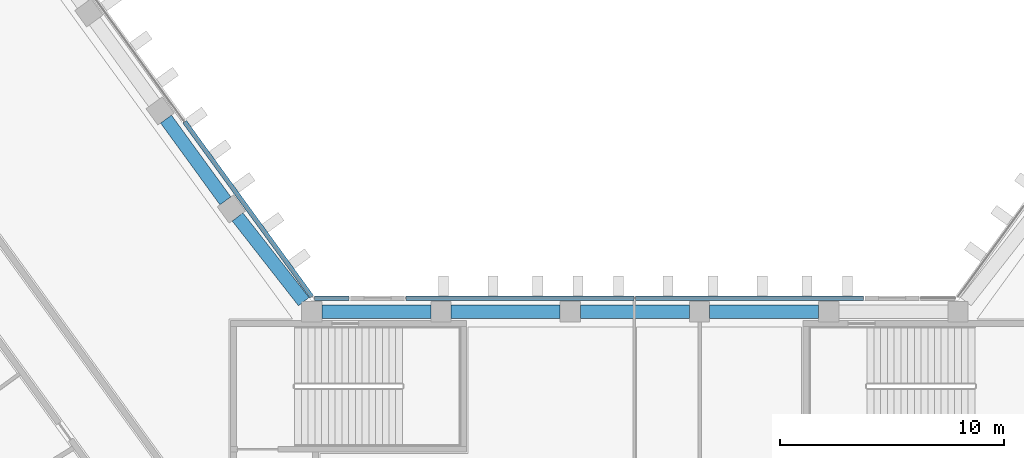
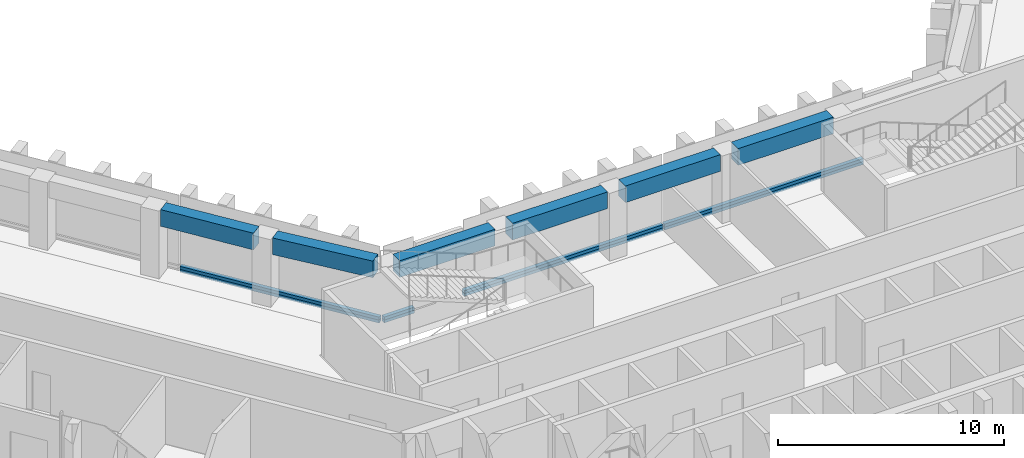
"""IFC4 building model written with IfcOpenShell, lengths in metres."""

import ifcopenshell
import ifcopenshell.guid

model = None  # the IFC model being written
_history = None  # IfcOwnerHistory: only IFC2X3 demands one
_inside = {}  # id of a spatial element -> (the spatial element, [elements in it])
_under = {}  # id of a project, library or spatial element -> (it, [spatial elements below it])
_declared = {}  # id of a project -> (the project, [libraries it declares])
_typed = {}  # id of a type object -> (the type object, [elements of that type])
_made_of = {}  # id of a material, layer set ... -> (it, [elements and type objects made of it])


def new_model(schema):
    """Start an empty IFC model of exactly this schema.

    Asked for "IFC4X3", IfcOpenShell would pick the latest addendum, in which some entities
    have other attributes; the version numbers below select the first issue.
    IFC2X3 requires an IfcOwnerHistory on every rooted entity: one is made here for all.
    """
    global model, _history
    if schema == "IFC4X3":
        model = ifcopenshell.file(schema_version=(4, 3, 0, 0))
    else:
        model = ifcopenshell.file(schema=schema)
    _inside.clear()
    _under.clear()
    _declared.clear()
    _typed.clear()
    _made_of.clear()
    _history = None
    if model.schema == "IFC2X3":
        org = make("IfcOrganization", Name="unknown")
        user = make(
            "IfcPersonAndOrganization",
            ThePerson=make("IfcPerson", FamilyName="unknown"),
            TheOrganization=org,
        )
        app = make(
            "IfcApplication",
            ApplicationDeveloper=org,
            Version="unknown",
            ApplicationFullName="unknown",
            ApplicationIdentifier="unknown",
        )
        _history = make(
            "IfcOwnerHistory",
            OwningUser=user,
            OwningApplication=app,
            ChangeAction="ADDED",
            CreationDate=0,
        )
    return model


def make(cls, **values):
    """One entity of the class cls with the attributes given. An attribute that is None is left unset."""
    return model.create_entity(
        cls, **{name: value for name, value in values.items() if value is not None}
    )


def rooted(cls, **values):
    """An entity with a GlobalId (a new one), such as an element, a storey or a relation."""
    return make(cls, GlobalId=ifcopenshell.guid.new(), OwnerHistory=_history, **values)


def si_unit(unit_type, name, prefix=None):
    """IfcSIUnit, for example si_unit("LENGTHUNIT", "METRE", prefix="MILLI")."""
    return make("IfcSIUnit", UnitType=unit_type, Prefix=prefix, Name=name)


def assignment(units):
    """IfcUnitAssignment: the units of a project."""
    return None if units is None else make("IfcUnitAssignment", Units=units)


def point(xyz):
    """IfcCartesianPoint."""
    return None if xyz is None else make("IfcCartesianPoint", Coordinates=xyz)


def direction(xyz):
    """IfcDirection."""
    return None if xyz is None else make("IfcDirection", DirectionRatios=xyz)


def frame(location, z_axis=None, x_axis=None):
    """IfcAxis2Placement3D, a coordinate frame: its origin and axes. An axis left out is left unset."""
    return make(
        "IfcAxis2Placement3D",
        Location=point(location),
        Axis=direction(z_axis),
        RefDirection=direction(x_axis),
    )


def frame_2d(location, x_axis=None):
    """IfcAxis2Placement2D, a coordinate frame in the plane: its origin and x axis."""
    return make(
        "IfcAxis2Placement2D", Location=point(location), RefDirection=direction(x_axis)
    )


def origin():
    """The frame at (0, 0, 0) with its axes left unset."""
    return frame((0.0, 0.0, 0.0))


def origin_2d():
    """The frame at (0, 0) in the plane with its x axis left unset."""
    return frame_2d((0.0, 0.0))


def place(relative_to, where):
    """IfcLocalPlacement: puts the frame where relative to a parent placement (None: the world)."""
    return make(
        "IfcLocalPlacement", PlacementRelTo=relative_to, RelativePlacement=where
    )


def context(
    kind, dimensions, precision=None, world=None, true_north=None, identifier=None
):
    """IfcGeometricRepresentationContext, for example the 3D "Model" context."""
    return make(
        "IfcGeometricRepresentationContext",
        ContextIdentifier=identifier,
        ContextType=kind,
        CoordinateSpaceDimension=dimensions,
        Precision=precision,
        WorldCoordinateSystem=world,
        TrueNorth=true_north,
    )


def subcontext(parent, identifier, kind, view, scale=None):
    """IfcGeometricRepresentationSubContext, for example "Body" below "Model"."""
    return make(
        "IfcGeometricRepresentationSubContext",
        ContextIdentifier=identifier,
        ContextType=kind,
        ParentContext=parent,
        TargetScale=scale,
        TargetView=view,
    )


def project(units=None, contexts=None):
    """IfcProject with its units and contexts."""
    return rooted(
        "IfcProject",
        Name="project",
        RepresentationContexts=contexts,
        UnitsInContext=assignment(units),
    )


def spatial(cls, under=None, at=None, **own):
    """A site, building, storey or space (cls), placed at a placement, below another one or the project."""
    s = rooted(cls, ObjectPlacement=at, **own)
    if under is not None:
        _under.setdefault(under.id(), (under, []))[1].append(s)
    return s


def profile(cls, at=None, kind="AREA", **sizes):
    """A parametric profile (cls). Its sizes go by their IFC names, for example OverallWidth=200.0."""
    return make(cls, ProfileType=kind, Position=at, **sizes)


def rectangle(**sizes):
    """IfcRectangleProfileDef."""
    return profile("IfcRectangleProfileDef", **sizes)


def extrude(swept, where, along, depth):
    """IfcExtrudedAreaSolid: the profile swept, set in the frame where, extruded along a direction by depth."""
    return make(
        "IfcExtrudedAreaSolid",
        SweptArea=swept,
        Position=where,
        ExtrudedDirection=direction(along),
        Depth=depth,
    )


def shape(context_of_items, identifier, shape_type, items):
    """IfcShapeRepresentation: the items that make up one representation, for example the "Body"."""
    return make(
        "IfcShapeRepresentation",
        ContextOfItems=context_of_items,
        RepresentationIdentifier=identifier,
        RepresentationType=shape_type,
        Items=items,
    )


def material(Name=None, Category=None):
    """IfcMaterial."""
    return make("IfcMaterial", Name=Name, Category=Category)


def material_profile(
    of_material, cross_section, Name=None, Category=None, Priority=None
):
    """IfcMaterialProfile: a cross section and its material."""
    return make(
        "IfcMaterialProfile",
        Name=Name,
        Material=of_material,
        Profile=cross_section,
        Priority=Priority,
        Category=Category,
    )


def profile_set(profiles, Name=None, composite=None):
    """IfcMaterialProfileSet."""
    return make(
        "IfcMaterialProfileSet",
        Name=Name,
        MaterialProfiles=profiles,
        CompositeProfile=composite,
    )


def made_of(thing, what):
    """Note that an element or type object is made of a material, layer set ...; save() writes the relation."""
    if what is not None:
        _made_of.setdefault(what.id(), (what, []))[1].append(thing)
    return thing


def type_object(cls, material=None, **own):
    """A type object (cls), such as IfcWallType, which elements share."""
    return made_of(rooted(cls, **own), material)


def element(
    cls,
    number,
    at=None,
    inside=None,
    cuts=None,
    type_object=None,
    material=None,
    context=None,
    identifier="Body",
    shape_type=None,
    held_by="IfcProductDefinitionShape",
    body=None,
    shapes=None,
    **own,
):
    """One element of the class cls, such as IfcWall. Its Tag is "e" and its number.

    at: its placement. inside: the storey or other place that contains it. cuts: it is an
    opening in that element (IfcRelVoidsElement). A single representation is given by context,
    identifier, shape_type and body (its items); several are given by shapes. held_by: the class
    of the entity that holds the representations. save() writes the other relations.
    """
    e = rooted(cls, Tag="e%d" % number, ObjectPlacement=at, **own)
    if body is not None:
        shapes = [shape(context, identifier, shape_type, body)]
    if shapes is not None:
        e.Representation = make(held_by, Representations=shapes)
    if inside is not None:
        _inside.setdefault(inside.id(), (inside, []))[1].append(e)
    if cuts is not None:
        rooted(
            "IfcRelVoidsElement", RelatingBuildingElement=cuts, RelatedOpeningElement=e
        )
    if type_object is not None:
        _typed.setdefault(type_object.id(), (type_object, []))[1].append(e)
    return made_of(e, material)


def aggregate(whole, parts):
    """IfcRelAggregates: a whole, such as a stair, and the parts it consists of."""
    return rooted("IfcRelAggregates", RelatingObject=whole, RelatedObjects=parts)


def save(model, path):
    """Write the relations noted so far, then the file.

    IfcRelAggregates (storeys below a building ...), IfcRelContainedInSpatialStructure (elements
    in a storey), IfcRelDefinesByType, IfcRelAssociatesMaterial and IfcRelDeclares: one each for
    every whole, place, type object, material and project.
    """
    for whole, parts in _under.values():
        aggregate(whole, parts)
    for where, things in _inside.values():
        rooted(
            "IfcRelContainedInSpatialStructure",
            RelatedElements=things,
            RelatingStructure=where,
        )
    for kind, things in _typed.values():
        rooted("IfcRelDefinesByType", RelatedObjects=things, RelatingType=kind)
    for what, things in _made_of.values():
        rooted("IfcRelAssociatesMaterial", RelatedObjects=things, RelatingMaterial=what)
    for by, libraries in _declared.values():
        rooted("IfcRelDeclares", RelatingContext=by, RelatedDefinitions=libraries)
    model.write(path)


model = new_model("IFC4")

# Units and contexts
model_context = context("Model", 3, precision=1e-05, world=origin(), true_north=direction((0.0, 1.0)))
body_context = subcontext(model_context, "Body", "Model", "MODEL_VIEW")
ifc_project = project(units=[si_unit("LENGTHUNIT", "METRE"), si_unit("AREAUNIT", "SQUARE_METRE"), si_unit("VOLUMEUNIT", "CUBIC_METRE"), si_unit("PLANEANGLEUNIT", "RADIAN"), si_unit("MASSUNIT", "GRAM", prefix="KILO")], contexts=[model_context])

# Site, building, storey
site_placement = place(None, origin())
site = spatial("IfcSite", under=ifc_project, at=site_placement, CompositionType="ELEMENT")
building_placement = place(site_placement, origin())
building = spatial("IfcBuilding", under=site, at=building_placement, Name="Quipu Civic Tower", CompositionType="ELEMENT")
storey_1_placement = place(building_placement, frame((0.0, 0.0, 55.0)))
storey_1 = spatial("IfcBuildingStorey", under=building, at=storey_1_placement, Name="L12", CompositionType="ELEMENT", Elevation=55.0)

# Beams
ifc_material_1 = material(Name="Concrete C50/60", Category="concrete")
ifc_material_profile_1 = material_profile(ifc_material_1, rectangle(XDim=0.60009765625, YDim=0.89990234375, at=origin_2d()), Name="RC600x900")
ifc_profile_set_1 = profile_set([ifc_material_profile_1], Name="Concrete C50/60")
beam_type = type_object("IfcBeamType", Name="Spandrel beam RC 600x900 C50/60", PredefinedType="SPANDREL", material=ifc_profile_set_1)
beam_1_placement = place(storey_1_placement, frame((-18.238037109375, 15.43896484375, 3.199951171875), z_axis=(-0.587716763865, 0.809066749701, 0.0), x_axis=(-0.809066749701, -0.587716763865, 0.0)))
element("IfcBeam", 1, at=beam_1_placement, inside=storey_1, type_object=beam_type, Name="Spandrel beam L12 W-IN-01 to W-IN-02", PredefinedType="SPANDREL", context=body_context, shape_type="SweptSolid", body=[
    extrude(rectangle(XDim=0.60009765625, YDim=0.89990234375, at=origin_2d()), origin(), (0.0, 0.0, 1.0), 4.5),
])
for number, where, z_axis, x_axis, name in (
    (2, (8.18701171875, 10.5, 3.199951171875), (-1.0, 0.0, 0.0), (0.0, -1.0, 0.0), "Spandrel beam L12 FRONT-01 to FRONT-02"),
    (3, (2.428955078125, 10.5, 3.199951171875), (-1.0, 0.0, 0.0), (0.0, -1.0, 0.0), "Spandrel beam L12 FRONT-02 to FRONT-03"),
    (4, (-3.3291015625, 10.5, 3.199951171875), (-1.0, 0.0, 0.0), (0.0, -1.0, 0.0), "Spandrel beam L12 FRONT-03 to FRONT-04"),
):
    element("IfcBeam", number, at=place(storey_1_placement, frame(where, z_axis=z_axis, x_axis=x_axis)), inside=storey_1, type_object=beam_type, Name=name, PredefinedType="SPANDREL", context=body_context, shape_type="SweptSolid", body=[
        extrude(rectangle(XDim=0.60009765625, YDim=0.89990234375, at=origin_2d()), origin(), (0.0, 0.0, 1.0), 4.85791015625),
    ])
beam_2_placement = place(storey_1_placement, frame((-9.087158203125, 10.5, 3.199951171875), z_axis=(-1.0, 0.0, 0.0), x_axis=(0.0, -1.0, 0.0)))
element("IfcBeam", 5, at=beam_2_placement, inside=storey_1, type_object=beam_type, Name="Spandrel beam L12 FRONT-04 to J-Wi.0", PredefinedType="SPANDREL", context=body_context, shape_type="SweptSolid", body=[
    extrude(rectangle(XDim=0.60009765625, YDim=0.89990234375, at=origin_2d()), origin(), (0.0, 0.0, 1.0), 4.858154296875),
])
beam_3_placement = place(storey_1_placement, frame((-14.7470703125, 10.949951171875, 3.199951171875), z_axis=(-0.616123961998, 0.787649200756, 0.0), x_axis=(-0.787649200756, -0.616123961998, 0.0)))
element("IfcBeam", 6, at=beam_3_placement, inside=storey_1, type_object=beam_type, Name="Spandrel beam L12 J-Wi.0 to W-IN-01", PredefinedType="SPANDREL", context=body_context, shape_type="SweptSolid", body=[
    extrude(rectangle(XDim=0.60009765625, YDim=0.89990234375, at=origin_2d()), origin(), (0.0, 0.0, 1.0), 4.78662109375),
])

# Storey
storey_2_placement = place(building_placement, frame((0.0, 0.0, 47.0)))
storey_2 = spatial("IfcBuildingStorey", under=building, at=storey_2_placement, Name="L10", CompositionType="ELEMENT", Elevation=47.0)

# Curtain wall, members
ifc_material_2 = material(Name="Insulated glass unit", Category="glass")
curtain_wall_type = type_object("IfcCurtainWallType", Name="Office curtain wall CW1", PredefinedType="NOTDEFINED", material=ifc_material_2)
curtain_wall_1_placement = place(storey_2_placement, origin())
curtain_wall_1 = element("IfcCurtainWall", 7, at=curtain_wall_1_placement, inside=storey_2, type_object=curtain_wall_type, Name="Office curtain wall CW1 L09 run 32", PredefinedType="NOTDEFINED")
ifc_material_3 = material(Name="Anodised aluminium", Category="aluminium")
ifc_material_profile_2 = material_profile(ifc_material_3, rectangle(XDim=0.199951171875, YDim=0.159912109375, at=origin_2d()), Name="RECT 200x160")
ifc_profile_set_2 = profile_set([ifc_material_profile_2], Name="Anodised aluminium")
member_type = type_object("IfcMemberType", Name="Transom CW1", PredefinedType="USERDEFINED", material=ifc_profile_set_2)
member_1_placement = place(storey_1_placement, frame((10.18359375, 11.10009765625, 0.0), z_axis=(-1.0, 0.0, 0.0), x_axis=(0.0, -1.0, 0.0)))
member_1 = element("IfcMember", 8, at=member_1_placement, inside=storey_1, type_object=member_type, Name="CW1 transom 1.4", ObjectType="TRANSOM", PredefinedType="USERDEFINED", context=body_context, shape_type="SweptSolid", body=[
    extrude(rectangle(XDim=0.199951171875, YDim=0.159912109375, at=origin_2d()), origin(), (0.0, 0.0, 1.0), 10.1435546875),
])
member_2_placement = place(storey_1_placement, frame((-0.0400390625, 11.10009765625, 0.0), z_axis=(-1.0, 0.0, 0.0), x_axis=(0.0, -1.0, 0.0)))
member_2 = element("IfcMember", 9, at=member_2_placement, inside=storey_1, type_object=member_type, Name="CW1 transom 2.4", ObjectType="TRANSOM", PredefinedType="USERDEFINED", context=body_context, shape_type="SweptSolid", body=[
    extrude(rectangle(XDim=0.199951171875, YDim=0.159912109375, at=origin_2d()), origin(), (0.0, 0.0, 1.0), 10.1435546875),
])
aggregate(curtain_wall_1, [member_1, member_2])

# Curtain wall, member
curtain_wall_2_placement = place(storey_2_placement, origin())
curtain_wall_2 = element("IfcCurtainWall", 10, at=curtain_wall_2_placement, inside=storey_2, type_object=curtain_wall_type, Name="Office curtain wall CW1 L09 run 34", PredefinedType="NOTDEFINED")
member_3_placement = place(storey_1_placement, frame((-12.735107421875, 11.10009765625, 0.0), z_axis=(-1.0, 0.0, 0.0), x_axis=(0.0, -1.0, 0.0)))
member_3 = element("IfcMember", 11, at=member_3_placement, inside=storey_1, type_object=member_type, Name="CW1 transom 1.4", ObjectType="TRANSOM", PredefinedType="USERDEFINED", context=body_context, shape_type="SweptSolid", body=[
    extrude(rectangle(XDim=0.199951171875, YDim=0.159912109375, at=origin_2d()), origin(), (0.0, 0.0, 1.0), 1.529052734375),
])
aggregate(curtain_wall_2, [member_3])

curtain_wall_3_placement = place(storey_2_placement, origin())
curtain_wall_3 = element("IfcCurtainWall", 12, at=curtain_wall_3_placement, inside=storey_2, type_object=curtain_wall_type, Name="Office curtain wall CW1 L09 run 35", PredefinedType="NOTDEFINED")
member_4_placement = place(storey_1_placement, frame((-14.39111328125, 11.164794921875, 0.0), z_axis=(-0.58779220199, 0.809011945079, 0.0), x_axis=(-0.809011945079, -0.58779220199, 0.0)))
member_4 = element("IfcMember", 13, at=member_4_placement, inside=storey_1, type_object=member_type, Name="CW1 transom 1.4", ObjectType="TRANSOM", PredefinedType="USERDEFINED", context=body_context, shape_type="SweptSolid", body=[
    extrude(rectangle(XDim=0.199951171875, YDim=0.159912109375, at=origin_2d()), origin(), (0.0, 0.0, 1.0), 9.64111328125),
])
aggregate(curtain_wall_3, [member_4])

# Storey
storey_3_placement = place(building_placement, frame((0.0, 0.0, 59.0)))
storey_3 = spatial("IfcBuildingStorey", under=building, at=storey_3_placement, Name="L13", CompositionType="ELEMENT", Elevation=59.0)

# Curtain wall, member
curtain_wall_4_placement = place(storey_3_placement, origin())
curtain_wall_4 = element("IfcCurtainWall", 14, at=curtain_wall_4_placement, inside=storey_3, type_object=curtain_wall_type, Name="Office curtain wall CW1 L12 run 10", PredefinedType="NOTDEFINED")
member_5_placement = place(storey_1_placement, frame((-14.39111328125, 11.164794921875, 0.159912109375), z_axis=(-0.58779220199, 0.809011945079, 0.0), x_axis=(-0.809011945079, -0.58779220199, 0.0)))
member_5 = element("IfcMember", 15, at=member_5_placement, inside=storey_1, type_object=member_type, Name="CW1 transom 1.1", ObjectType="TRANSOM", PredefinedType="USERDEFINED", context=body_context, shape_type="SweptSolid", body=[
    extrude(rectangle(XDim=0.199951171875, YDim=0.159912109375, at=origin_2d()), origin(), (0.0, 0.0, 1.0), 9.64111328125),
])
aggregate(curtain_wall_4, [member_5])

# Curtain wall, members
curtain_wall_5_placement = place(storey_3_placement, origin())
curtain_wall_5 = element("IfcCurtainWall", 16, at=curtain_wall_5_placement, inside=storey_3, type_object=curtain_wall_type, Name="Office curtain wall CW1 L12 run 39", PredefinedType="NOTDEFINED")
member_6_placement = place(storey_1_placement, frame((10.18359375, 11.10009765625, 0.159912109375), z_axis=(-1.0, 0.0, 0.0), x_axis=(0.0, -1.0, 0.0)))
member_6 = element("IfcMember", 17, at=member_6_placement, inside=storey_1, type_object=member_type, Name="CW1 transom 1.1", ObjectType="TRANSOM", PredefinedType="USERDEFINED", context=body_context, shape_type="SweptSolid", body=[
    extrude(rectangle(XDim=0.199951171875, YDim=0.159912109375, at=origin_2d()), origin(), (0.0, 0.0, 1.0), 10.1435546875),
])
member_7_placement = place(storey_1_placement, frame((-0.0400390625, 11.10009765625, 0.159912109375), z_axis=(-1.0, 0.0, 0.0), x_axis=(0.0, -1.0, 0.0)))
member_7 = element("IfcMember", 18, at=member_7_placement, inside=storey_1, type_object=member_type, Name="CW1 transom 2.1", ObjectType="TRANSOM", PredefinedType="USERDEFINED", context=body_context, shape_type="SweptSolid", body=[
    extrude(rectangle(XDim=0.199951171875, YDim=0.159912109375, at=origin_2d()), origin(), (0.0, 0.0, 1.0), 10.1435546875),
])
aggregate(curtain_wall_5, [member_6, member_7])

# Curtain wall, member
curtain_wall_6_placement = place(storey_3_placement, origin())
curtain_wall_6 = element("IfcCurtainWall", 19, at=curtain_wall_6_placement, inside=storey_3, type_object=curtain_wall_type, Name="Office curtain wall CW1 L12 run 41", PredefinedType="NOTDEFINED")
member_8_placement = place(storey_1_placement, frame((-12.735107421875, 11.10009765625, 0.159912109375), z_axis=(-1.0, 0.0, 0.0), x_axis=(0.0, -1.0, 0.0)))
member_8 = element("IfcMember", 20, at=member_8_placement, inside=storey_1, type_object=member_type, Name="CW1 transom 1.1", ObjectType="TRANSOM", PredefinedType="USERDEFINED", context=body_context, shape_type="SweptSolid", body=[
    extrude(rectangle(XDim=0.199951171875, YDim=0.159912109375, at=origin_2d()), origin(), (0.0, 0.0, 1.0), 1.529052734375),
])
aggregate(curtain_wall_6, [member_8])

save(model, "model.ifc")
